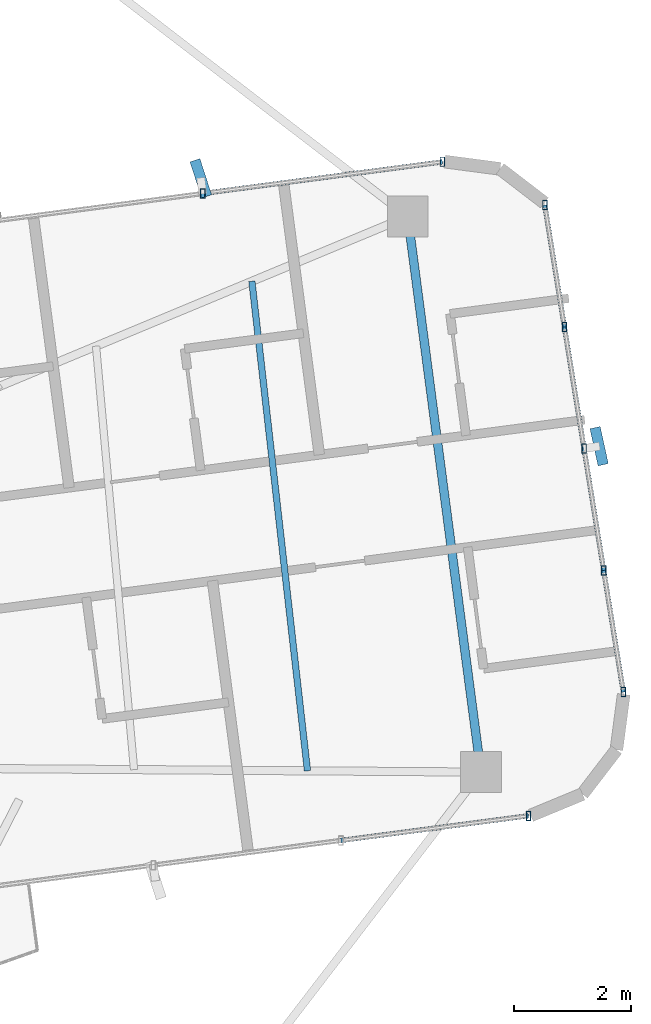
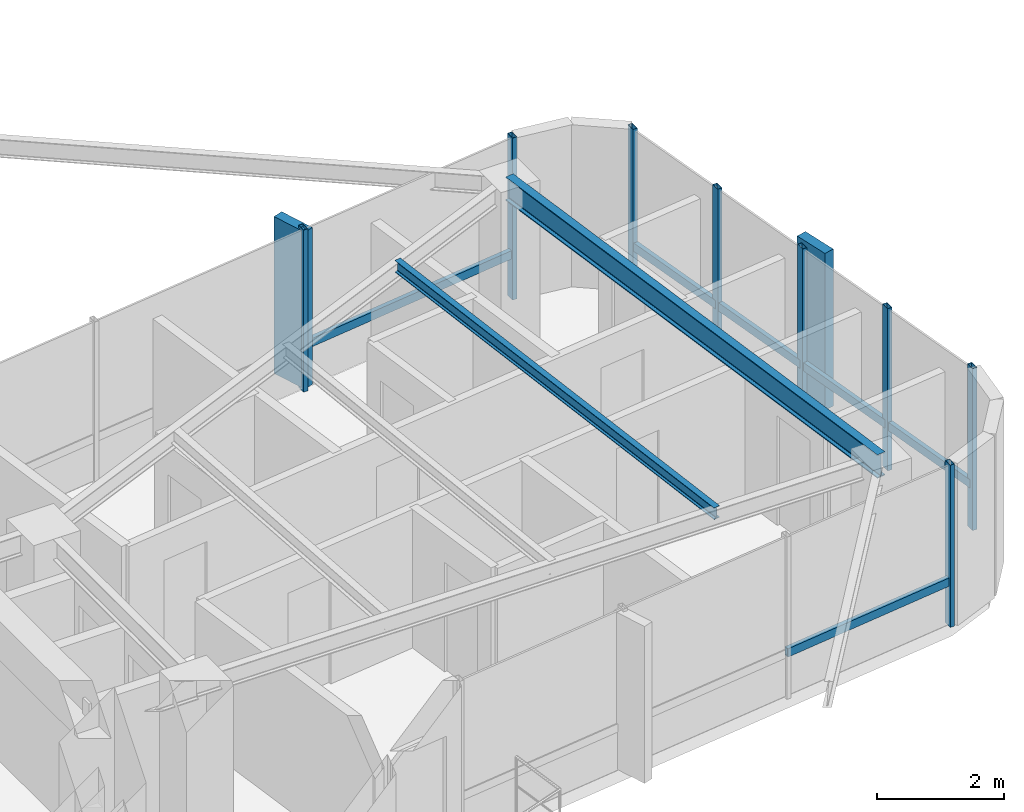
# One storey, part 12 of 22: 16 members, 2 beams, 3 elements without a shape of their own.
"""IFC4 building model written with IfcOpenShell, lengths in metres."""

from ifc_helpers import new_model, si_unit, direction, frame, origin, origin_2d, place, context, subcontext, project, spatial, rectangle, hollow_rectangle, i_section, extrude, source, transform, mapped, material, material_profile, profile_set, type_object, element, aggregate, save


model = new_model("IFC4")

# Units and contexts
model_context = context("Model", 3, precision=1e-05, world=origin(), true_north=direction((0.0, 1.0)))
body_context = subcontext(model_context, "Body", "Model", "MODEL_VIEW")
ifc_project = project(units=[si_unit("LENGTHUNIT", "METRE"), si_unit("AREAUNIT", "SQUARE_METRE"), si_unit("VOLUMEUNIT", "CUBIC_METRE"), si_unit("PLANEANGLEUNIT", "RADIAN"), si_unit("MASSUNIT", "GRAM", prefix="KILO")], contexts=[model_context])

# Site, building, storey
site_placement = place(None, origin())
site = spatial("IfcSite", under=ifc_project, at=site_placement, CompositionType="ELEMENT")
building_placement = place(site_placement, origin())
building = spatial("IfcBuilding", under=site, at=building_placement, Name="Sahyath Konkavel Grand Hotel", CompositionType="ELEMENT")
storey_placement = place(building_placement, frame((0.0, 0.0, 206.5)))
storey = spatial("IfcBuildingStorey", under=building, at=storey_placement, Name="L57", CompositionType="ELEMENT", Elevation=206.5)

# Beams
ifc_material_1 = material(Name="Steel E350", Category="steel")
ifc_material_profile_1 = material_profile(ifc_material_1, i_section(OverallWidth=0.14990234375, OverallDepth=0.449951171875, WebThickness=0.009521484375, FlangeThickness=0.017333984375, FilletRadius=0.014892578125, at=origin_2d()), Name="ISMB 450")
ifc_profile_set_1 = profile_set([ifc_material_profile_1], Name="Steel E350")
beam_type_1 = type_object("IfcBeamType", Name="BM-ISMB450", PredefinedType="BEAM", material=ifc_profile_set_1)
shared_shape_1 = source(origin(), body_context, "Body", "SweptSolid", [
    extrude(i_section(OverallWidth=0.14990234375, OverallDepth=0.449951171875, WebThickness=0.009521484375, FlangeThickness=0.017333984375, FilletRadius=0.014892578125, at=origin_2d()), origin(), (0.0, 0.0, 1.0), 9.599853515625),
])
beam_1_placement = place(storey_placement, frame((17.877685546875, -2.48779296875, 2.885009765625), z_axis=(-0.130539375757, 0.991443125639, 0.0), x_axis=(-0.991443125639, -0.130539375757, 0.0)))
element("IfcBeam", 1, at=beam_1_placement, inside=storey, type_object=beam_type_1, Name="L57 Wing Tip Edge Beam E", PredefinedType="BEAM", context=body_context, shape_type="MappedRepresentation", body=[
    mapped(shared_shape_1, transform((0.0, 0.0, 0.0), scale=1.0)),
])
ifc_material_profile_2 = material_profile(ifc_material_1, i_section(OverallWidth=0.110107421875, OverallDepth=0.22509765625, WebThickness=0.006591796875, FlangeThickness=0.01171875, FilletRadius=0.011962890625, at=origin_2d()), Name="ISMB 225")
ifc_profile_set_2 = profile_set([ifc_material_profile_2], Name="Steel E350")
beam_type_2 = type_object("IfcBeamType", Name="BM-ISMB225", PredefinedType="BEAM", material=ifc_profile_set_2)
shared_shape_2 = source(origin(), body_context, "Body", "SweptSolid", [
    extrude(i_section(OverallWidth=0.110107421875, OverallDepth=0.22509765625, WebThickness=0.006591796875, FlangeThickness=0.01171875, FilletRadius=0.011962890625, at=origin_2d()), origin(), (0.0, 0.0, 1.0), 8.439697265625),
])
beam_2_placement = place(storey_placement, frame((14.906982421875, -2.466796875, 2.99755859375), z_axis=(-0.112847377236, 0.993612333584, 0.0), x_axis=(-0.993612333584, -0.112847377236, 0.0)))
element("IfcBeam", 2, at=beam_2_placement, inside=storey, type_object=beam_type_2, Name="L57 Secondary Floor Beam E-3", PredefinedType="BEAM", context=body_context, shape_type="MappedRepresentation", body=[
    mapped(shared_shape_2, transform((0.0, 0.0, 0.0), scale=1.0)),
])

# Curtain wall, member
ifc_material_2 = material(Name="Anodised Bronze Aluminium & Low-E Glazing", Category="aluminium")
curtain_wall_type = type_object("IfcCurtainWallType", Name="CW-ZONE4", PredefinedType="NOTDEFINED", material=ifc_material_2)
curtain_wall_1_placement = place(storey_placement, origin())
curtain_wall_1 = element("IfcCurtainWall", 3, at=curtain_wall_1_placement, inside=storey, type_object=curtain_wall_type, Name="L57 Unitised Curtain Wall F4", PredefinedType="NOTDEFINED")
ifc_material_3 = material(Name="Warm Buff Sandstone Cladding on Concrete C50/60", Category="masonry")
ifc_material_profile_3 = material_profile(ifc_material_3, rectangle(XDim=0.179931640625, YDim=0.64990234375, at=origin_2d()), Name="FIN 180x650")
ifc_profile_set_3 = profile_set([ifc_material_profile_3], Name="Warm Buff Sandstone Cladding on Concrete C50/60")
member_type_1 = type_object("IfcMemberType", Name="FIN-SANDSTONE-650", PredefinedType="MULLION", material=ifc_profile_set_3)
shared_shape_3 = source(origin(), body_context, "Body", "SweptSolid", [
    extrude(rectangle(XDim=0.179931640625, YDim=0.64990234375, at=origin_2d()), origin(), (0.0, 0.0, 1.0), 3.010009765625),
])
member_1_placement = place(storey_placement, frame((19.90234375, 3.09423828125, 0.050048828125), z_axis=(0.0, 0.0, 1.0), x_axis=(0.976971153279, 0.213371426534, 0.0)))
member_1 = element("IfcMember", 4, at=member_1_placement, type_object=member_type_1, Name="L57 Sandstone Vertical Solar Fin FIN F4-2", PredefinedType="MULLION", context=body_context, shape_type="MappedRepresentation", body=[
    mapped(shared_shape_3, transform((0.0, 0.0, 0.0), scale=1.0)),
])

curtain_wall_2_placement = place(storey_placement, origin())
curtain_wall_2 = element("IfcCurtainWall", 5, at=curtain_wall_2_placement, inside=storey, type_object=curtain_wall_type, Name="L57 Unitised Curtain Wall F7", PredefinedType="NOTDEFINED")
member_2_placement = place(storey_placement, frame((13.0791015625, 7.682861328125, 0.050048828125), z_axis=(0.0, 0.0, 1.0), x_axis=(0.951110435449, 0.308850998993, 0.0)))
member_2 = element("IfcMember", 6, at=member_2_placement, type_object=member_type_1, Name="L57 Sandstone Vertical Solar Fin FIN F7-1", PredefinedType="MULLION", context=body_context, shape_type="MappedRepresentation", body=[
    mapped(shared_shape_3, transform((0.0, 0.0, 0.0), scale=1.0)),
])

curtain_wall_3_placement = place(storey_placement, origin())
curtain_wall_3 = element("IfcCurtainWall", 7, at=curtain_wall_3_placement, inside=storey, type_object=curtain_wall_type, Name="L57 Unitised Curtain Wall F0", PredefinedType="NOTDEFINED")
ifc_material_4 = material(Name="Anodised Bronze Aluminium", Category="aluminium")
ifc_material_profile_4 = material_profile(ifc_material_4, hollow_rectangle(XDim=0.080078125, YDim=0.159912109375, WallThickness=0.006103515625, at=origin_2d()), Name="RHS 160x80x6")
ifc_profile_set_4 = profile_set([ifc_material_profile_4], Name="Anodised Bronze Aluminium")
member_type_2 = type_object("IfcMemberType", Name="CW-MUL-160", PredefinedType="MULLION", material=ifc_profile_set_4)
shared_shape_4 = source(origin(), body_context, "Body", "SweptSolid", [
    extrude(hollow_rectangle(XDim=0.080078125, YDim=0.159912109375, WallThickness=0.006103515625, at=origin_2d()), origin(), (0.0, 0.0, 1.0), 3.110107421875),
])
member_3_placement = place(storey_placement, frame((18.6923828125, -3.23779296875, 0.0), z_axis=(0.0, 0.0, 1.0), x_axis=(1.0, 0.0, 0.0)))
member_3 = element("IfcMember", 8, at=member_3_placement, type_object=member_type_2, Name="L57 Curtain Wall Mullion F0-3", PredefinedType="MULLION", context=body_context, shape_type="MappedRepresentation", body=[
    mapped(shared_shape_4, transform((0.0, 0.0, 0.0), scale=1.0)),
])

# Member
member_4_placement = place(storey_placement, frame((20.318603515625, -1.117431640625, 0.0), z_axis=(0.0, 0.0, 1.0), x_axis=(1.0, 0.0, 0.0)))
member_4 = element("IfcMember", 9, at=member_4_placement, type_object=member_type_2, Name="L57 Curtain Wall Mullion F4-0", PredefinedType="MULLION", context=body_context, shape_type="MappedRepresentation", body=[
    mapped(shared_shape_4, transform((0.0, 0.0, 0.0), scale=1.0)),
])

member_5_placement = place(storey_placement, frame((19.982177734375, 0.9677734375, 0.0), z_axis=(0.0, 0.0, 1.0), x_axis=(1.0, 0.0, 0.0)))
member_5 = element("IfcMember", 10, at=member_5_placement, type_object=member_type_2, Name="L57 Curtain Wall Mullion F4-1", PredefinedType="MULLION", context=body_context, shape_type="MappedRepresentation", body=[
    mapped(shared_shape_4, transform((0.0, 0.0, 0.0), scale=1.0)),
])

member_6_placement = place(storey_placement, frame((19.6455078125, 3.052734375, 0.0), z_axis=(0.0, 0.0, 1.0), x_axis=(1.0, 0.0, 0.0)))
member_6 = element("IfcMember", 11, at=member_6_placement, type_object=member_type_2, Name="L57 Curtain Wall Mullion F4-2", PredefinedType="MULLION", context=body_context, shape_type="MappedRepresentation", body=[
    mapped(shared_shape_4, transform((0.0, 0.0, 0.0), scale=1.0)),
])

member_7_placement = place(storey_placement, frame((19.30908203125, 5.137939453125, 0.0), z_axis=(0.0, 0.0, 1.0), x_axis=(1.0, 0.0, 0.0)))
member_7 = element("IfcMember", 12, at=member_7_placement, type_object=member_type_2, Name="L57 Curtain Wall Mullion F4-3", PredefinedType="MULLION", context=body_context, shape_type="MappedRepresentation", body=[
    mapped(shared_shape_4, transform((0.0, 0.0, 0.0), scale=1.0)),
])

member_8_placement = place(storey_placement, frame((18.972900390625, 7.22314453125, 0.0), z_axis=(0.0, 0.0, 1.0), x_axis=(1.0, 0.0, 0.0)))
member_8 = element("IfcMember", 13, at=member_8_placement, type_object=member_type_2, Name="L57 Curtain Wall Mullion F4-4", PredefinedType="MULLION", context=body_context, shape_type="MappedRepresentation", body=[
    mapped(shared_shape_4, transform((0.0, 0.0, 0.0), scale=1.0)),
])

member_9_placement = place(storey_placement, frame((17.217529296875, 7.965576171875, 0.0), z_axis=(0.0, 0.0, 1.0), x_axis=(1.0, 0.0, 0.0)))
member_9 = element("IfcMember", 14, at=member_9_placement, type_object=member_type_2, Name="L57 Curtain Wall Mullion F7-0", PredefinedType="MULLION", context=body_context, shape_type="MappedRepresentation", body=[
    mapped(shared_shape_4, transform((0.0, 0.0, 0.0), scale=1.0)),
])

member_10_placement = place(storey_placement, frame((13.113037109375, 7.425048828125, 0.0), z_axis=(0.0, 0.0, 1.0), x_axis=(1.0, 0.0, 0.0)))
member_10 = element("IfcMember", 15, at=member_10_placement, type_object=member_type_2, Name="L57 Curtain Wall Mullion F7-1", PredefinedType="MULLION", context=body_context, shape_type="MappedRepresentation", body=[
    mapped(shared_shape_4, transform((0.0, 0.0, 0.0), scale=1.0)),
])

ifc_material_profile_5 = material_profile(ifc_material_4, hollow_rectangle(XDim=0.080078125, YDim=0.159912109375, WallThickness=0.006103515625, at=origin_2d()), Name="RHS 160x80x6")
ifc_profile_set_5 = profile_set([ifc_material_profile_5], Name="Anodised Bronze Aluminium")
member_type_3 = type_object("IfcMemberType", Name="CW-TRN-160", PredefinedType="USERDEFINED", material=ifc_profile_set_5)
shared_shape_5 = source(origin(), body_context, "Body", "SweptSolid", [
    extrude(hollow_rectangle(XDim=0.080078125, YDim=0.159912109375, WallThickness=0.006103515625, at=origin_2d()), origin(), (0.0, 0.0, 1.0), 3.239990234375),
])
member_11_placement = place(storey_placement, frame((15.480224609375, -3.66064453125, 0.85009765625), z_axis=(0.991446342692, 0.130514939997, 0.0), x_axis=(-0.130514939997, 0.991446342692, 0.0)))
member_11 = element("IfcMember", 16, at=member_11_placement, type_object=member_type_3, Name="L57 Curtain Wall Transom F0-2-spandrel", ObjectType="TRANSOM", PredefinedType="USERDEFINED", context=body_context, shape_type="MappedRepresentation", body=[
    mapped(shared_shape_5, transform((0.0, 0.0, 0.0), scale=1.0)),
])

aggregate(curtain_wall_3, [member_3, member_11])

shared_shape_6 = source(origin(), body_context, "Body", "SweptSolid", [
    extrude(hollow_rectangle(XDim=0.080078125, YDim=0.159912109375, WallThickness=0.006103515625, at=origin_2d()), origin(), (0.0, 0.0, 1.0), 2.112060546875),
])
member_12_placement = place(storey_placement, frame((20.318603515625, -1.117431640625, 0.85009765625), z_axis=(-0.159279681841, 0.987233499712, 0.0), x_axis=(-0.987233499712, -0.159279681841, 0.0)))
member_12 = element("IfcMember", 17, at=member_12_placement, type_object=member_type_3, Name="L57 Curtain Wall Transom F4-0-spandrel", ObjectType="TRANSOM", PredefinedType="USERDEFINED", context=body_context, shape_type="MappedRepresentation", body=[
    mapped(shared_shape_6, transform((0.0, 0.0, 0.0), scale=1.0)),
])

member_13_placement = place(storey_placement, frame((19.982177734375, 0.9677734375, 0.85009765625), z_axis=(-0.159410523793, 0.98721238085, 0.0), x_axis=(-0.98721238085, -0.159410523793, 0.0)))
member_13 = element("IfcMember", 18, at=member_13_placement, type_object=member_type_3, Name="L57 Curtain Wall Transom F4-1-spandrel", ObjectType="TRANSOM", PredefinedType="USERDEFINED", context=body_context, shape_type="MappedRepresentation", body=[
    mapped(shared_shape_6, transform((0.0, 0.0, 0.0), scale=1.0)),
])

member_14_placement = place(storey_placement, frame((19.6455078125, 3.052734375, 0.85009765625), z_axis=(-0.159279681841, 0.987233499712, 0.0), x_axis=(-0.987233499712, -0.159279681841, 0.0)))
member_14 = element("IfcMember", 19, at=member_14_placement, type_object=member_type_3, Name="L57 Curtain Wall Transom F4-2-spandrel", ObjectType="TRANSOM", PredefinedType="USERDEFINED", context=body_context, shape_type="MappedRepresentation", body=[
    mapped(shared_shape_6, transform((0.0, 0.0, 0.0), scale=1.0)),
])

member_15_placement = place(storey_placement, frame((19.30908203125, 5.137939453125, 0.85009765625), z_axis=(-0.159167023612, 0.98725166933, 0.0), x_axis=(-0.98725166933, -0.159167023612, 0.0)))
member_15 = element("IfcMember", 20, at=member_15_placement, type_object=member_type_3, Name="L57 Curtain Wall Transom F4-3-spandrel", ObjectType="TRANSOM", PredefinedType="USERDEFINED", context=body_context, shape_type="MappedRepresentation", body=[
    mapped(shared_shape_6, transform((0.0, 0.0, 0.0), scale=1.0)),
])

aggregate(curtain_wall_1, [member_4, member_5, member_6, member_1, member_7, member_8, member_12, member_13, member_14, member_15])

shared_shape_7 = source(origin(), body_context, "Body", "SweptSolid", [
    extrude(hollow_rectangle(XDim=0.080078125, YDim=0.159912109375, WallThickness=0.006103515625, at=origin_2d()), origin(), (0.0, 0.0, 1.0), 4.139892578125),
])
member_16_placement = place(storey_placement, frame((17.217529296875, 7.965576171875, 0.85009765625), z_axis=(-0.991439837467, -0.130564346904, 0.0), x_axis=(0.130564346904, -0.991439837467, 0.0)))
member_16 = element("IfcMember", 21, at=member_16_placement, type_object=member_type_3, Name="L57 Curtain Wall Transom F7-0-spandrel", ObjectType="TRANSOM", PredefinedType="USERDEFINED", context=body_context, shape_type="MappedRepresentation", body=[
    mapped(shared_shape_7, transform((0.0, 0.0, 0.0), scale=1.0)),
])

aggregate(curtain_wall_2, [member_9, member_10, member_2, member_16])

save(model, "model.ifc")
